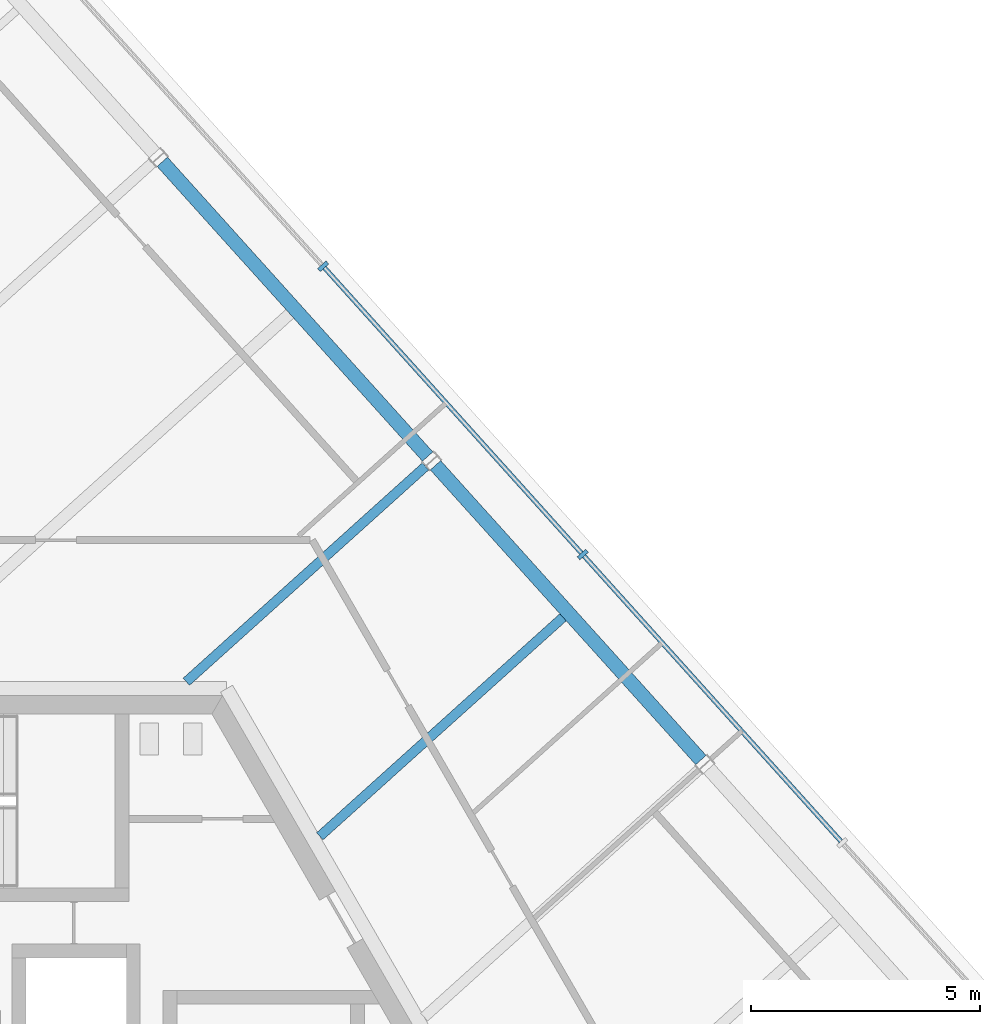
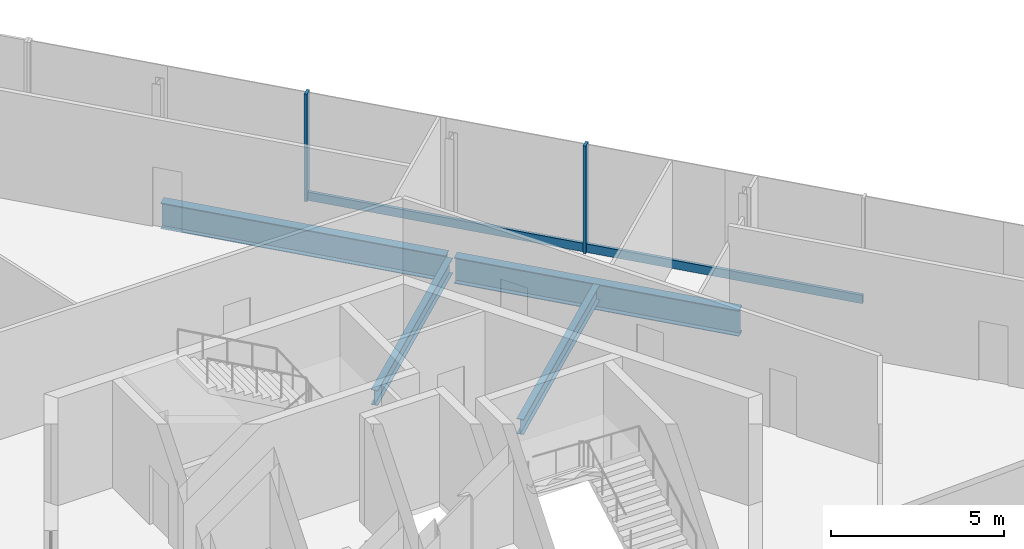
# One storey, part 8 of 16: 4 beams, 4 members, 1 element without a shape of its own.
"""IFC4 building model written with IfcOpenShell, lengths in metres."""

from ifc_helpers import new_model, si_unit, direction, frame, origin, origin_2d, place, context, subcontext, project, spatial, rectangle, i_section, extrude, source, transform, mapped, material, material_profile, profile_set, type_object, element, aggregate, save


model = new_model("IFC4")

# Units and contexts
model_context = context("Model", 3, precision=1e-05, world=origin(), true_north=direction((0.0, 1.0)))
body_context = subcontext(model_context, "Body", "Model", "MODEL_VIEW")
ifc_project = project(units=[si_unit("LENGTHUNIT", "METRE"), si_unit("AREAUNIT", "SQUARE_METRE"), si_unit("VOLUMEUNIT", "CUBIC_METRE"), si_unit("PLANEANGLEUNIT", "RADIAN"), si_unit("MASSUNIT", "GRAM", prefix="KILO")], contexts=[model_context])

# Site, building, storey
site_placement = place(None, origin())
site = spatial("IfcSite", under=ifc_project, at=site_placement, CompositionType="ELEMENT")
building_placement = place(site_placement, origin())
building = spatial("IfcBuilding", under=site, at=building_placement, Name="Triune Harvest Tower", CompositionType="ELEMENT")
storey_placement = place(building_placement, frame((0.0, 0.0, 292.699951171875)))
storey = spatial("IfcBuildingStorey", under=building, at=storey_placement, Name="L77", CompositionType="ELEMENT", Elevation=292.699951171875)

# Beams
ifc_material_1 = material(Name="Steel ASTM A992 Gr 50", Category="steel")
ifc_material_profile_1 = material_profile(ifc_material_1, i_section(OverallWidth=0.3046875, OverallDepth=0.914306640625, WebThickness=0.0166015625, FlangeThickness=0.02587890625, at=origin_2d()), Name="W36x160")
ifc_profile_set_1 = profile_set([ifc_material_profile_1], Name="Steel ASTM A992 Gr 50")
beam_type_1 = type_object("IfcBeamType", Name="SB-1 Spandrel beam W36x160", PredefinedType="SPANDREL", material=ifc_profile_set_1)
shared_shape_1 = source(origin(), body_context, "Body", "SweptSolid", [
    extrude(i_section(OverallWidth=0.3046875, OverallDepth=0.914306640625, WebThickness=0.0166015625, FlangeThickness=0.02587890625, at=origin_2d()), origin(), (0.0, 0.0, 1.0), 8.671630859375),
])
beam_1_placement = place(storey_placement, frame((16.45947265625, 8.985595703125, -0.63720703125), z_axis=(-0.669129593336, 0.743145737606, 0.0), x_axis=(-0.743145737606, -0.669129593336, 0.0)))
element("IfcBeam", 1, at=beam_1_placement, inside=storey, type_object=beam_type_1, Name="beam/L77/SB3", PredefinedType="SPANDREL", context=body_context, shape_type="MappedRepresentation", body=[
    mapped(shared_shape_1, transform((0.0, 0.0, 0.0), scale=1.0)),
])
shared_shape_2 = source(origin(), body_context, "Body", "SweptSolid", [
    extrude(i_section(OverallWidth=0.3046875, OverallDepth=0.914306640625, WebThickness=0.0166015625, FlangeThickness=0.02587890625, at=origin_2d()), origin(), (0.0, 0.0, 1.0), 8.67138671875),
])
beam_2_placement = place(storey_placement, frame((10.4853515625, 15.62060546875, -0.63720703125), z_axis=(-0.669128044683, 0.743147132013, 0.0), x_axis=(-0.743147132013, -0.669128044683, 0.0)))
element("IfcBeam", 2, at=beam_2_placement, inside=storey, type_object=beam_type_1, Name="beam/L77/SB4", PredefinedType="SPANDREL", context=body_context, shape_type="MappedRepresentation", body=[
    mapped(shared_shape_2, transform((0.0, 0.0, 0.0), scale=1.0)),
])
ifc_material_2 = material(Name="Steel ASTM A992 Gr 50", Category="steel")
ifc_material_profile_2 = material_profile(ifc_material_2, i_section(OverallWidth=0.2099609375, OverallDepth=0.535888671875, WebThickness=0.010986328125, FlangeThickness=0.017333984375, at=origin_2d()), Name="W21x68")
ifc_profile_set_2 = profile_set([ifc_material_profile_2], Name="Steel ASTM A992 Gr 50")
beam_type_2 = type_object("IfcBeamType", Name="JT-2 Floor joist W21x68", PredefinedType="JOIST", material=ifc_profile_set_2)
shared_shape_3 = source(origin(), body_context, "Body", "SweptSolid", [
    extrude(i_section(OverallWidth=0.2099609375, OverallDepth=0.535888671875, WebThickness=0.010986328125, FlangeThickness=0.017333984375, at=origin_2d()), origin(), (0.0, 0.0, 1.0), 7.155517578125),
])
beam_3_placement = place(storey_placement, frame((13.44482421875, 12.105712890625, -0.447998046875), z_axis=(-0.743139743978, -0.669136249892, 0.0), x_axis=(0.669136249892, -0.743139743978, 0.0)))
element("IfcBeam", 3, at=beam_3_placement, inside=storey, type_object=beam_type_2, Name="beam/L77/JT5", PredefinedType="JOIST", context=body_context, shape_type="MappedRepresentation", body=[
    mapped(shared_shape_3, transform((0.0, 0.0, 0.0), scale=1.0)),
])
shared_shape_4 = source(origin(), body_context, "Body", "SweptSolid", [
    extrude(i_section(OverallWidth=0.2099609375, OverallDepth=0.535888671875, WebThickness=0.010986328125, FlangeThickness=0.017333984375, at=origin_2d()), origin(), (0.0, 0.0, 1.0), 7.035400390625),
])
beam_4_placement = place(storey_placement, frame((10.437255859375, 15.404541015625, -0.447998046875), z_axis=(-0.743147458893, -0.669127681643, 0.0), x_axis=(0.669127681643, -0.743147458893, 0.0)))
element("IfcBeam", 4, at=beam_4_placement, inside=storey, type_object=beam_type_2, Name="beam/L77/JT6", PredefinedType="JOIST", context=body_context, shape_type="MappedRepresentation", body=[
    mapped(shared_shape_4, transform((0.0, 0.0, 0.0), scale=1.0)),
])

# Curtain wall, members
ifc_material_3 = material(Name="Aluminium bronze anodised", Category="aluminium")
curtain_wall_type = type_object("IfcCurtainWallType", Name="CW-4 Sky lobby tall glazing wall", PredefinedType="NOTDEFINED", material=ifc_material_3)
curtain_wall_placement = place(storey_placement, origin())
curtain_wall = element("IfcCurtainWall", 5, at=curtain_wall_placement, inside=storey, type_object=curtain_wall_type, Name="CW-4 B7-F1 L77 run 1101")
ifc_material_4 = material(Name="Aluminium bronze anodised", Category="aluminium")
ifc_material_profile_3 = material_profile(ifc_material_4, rectangle(XDim=0.25, YDim=0.090087890625, at=origin_2d()), Name="MU-4 mullion 90 x 250")
ifc_profile_set_3 = profile_set([ifc_material_profile_3], Name="Aluminium bronze anodised")
member_type_1 = type_object("IfcMemberType", Name="MU-4 mullion 90 x 250", PredefinedType="MULLION", material=ifc_profile_set_3)
shared_shape_5 = source(origin(), body_context, "Body", "SweptSolid", [
    extrude(rectangle(XDim=0.25, YDim=0.090087890625, at=origin_2d()), origin(), (0.0, 0.0, 1.0), 3.800048828125),
])
member_1_placement = place(storey_placement, frame((13.875732421875, 13.4775390625, 0.0), z_axis=(0.0, 0.0, 1.0), x_axis=(-0.743143165769, -0.669132449647, 0.0)))
member_1 = element("IfcMember", 6, at=member_1_placement, type_object=member_type_1, Name="CW-4 mullion B7-F1 1101.5", PredefinedType="MULLION", context=body_context, shape_type="MappedRepresentation", body=[
    mapped(shared_shape_5, transform((0.0, 0.0, 0.0), scale=1.0)),
])
member_2_placement = place(storey_placement, frame((8.200439453125, 19.780517578125, 0.0), z_axis=(0.0, 0.0, 1.0), x_axis=(-0.743143165769, -0.669132449647, 0.0)))
member_2 = element("IfcMember", 7, at=member_2_placement, type_object=member_type_1, Name="CW-4 mullion B7-F1 1101.7", PredefinedType="MULLION", context=body_context, shape_type="MappedRepresentation", body=[
    mapped(shared_shape_5, transform((0.0, 0.0, 0.0), scale=1.0)),
])
ifc_material_5 = material(Name="Aluminium bronze anodised", Category="aluminium")
ifc_material_profile_4 = material_profile(ifc_material_5, rectangle(XDim=0.10009765625, YDim=0.300048828125, at=origin_2d()), Name="TR-4 transom 100 x 300")
ifc_profile_set_4 = profile_set([ifc_material_profile_4], Name="Aluminium bronze anodised")
member_type_2 = type_object("IfcMemberType", Name="TR-4 transom 100 x 300", PredefinedType="USERDEFINED", material=ifc_profile_set_4)
shared_shape_6 = source(origin(), body_context, "Body", "SweptSolid", [
    extrude(rectangle(XDim=0.10009765625, YDim=0.300048828125, at=origin_2d()), origin(), (0.0, 0.0, 1.0), 8.3916015625),
])
member_3_placement = place(storey_placement, frame((19.52099609375, 7.2080078125, 0.150146484375), z_axis=(-0.669146343975, 0.743130654963, 0.0), x_axis=(-0.743130654963, -0.669146343975, 0.0)))
member_3 = element("IfcMember", 8, at=member_3_placement, type_object=member_type_2, Name="CW-4 transom B7-F1 1101.2", ObjectType="TRANSOM", PredefinedType="USERDEFINED", context=body_context, shape_type="MappedRepresentation", body=[
    mapped(shared_shape_6, transform((0.0, 0.0, 0.0), scale=1.0)),
])
member_4_placement = place(storey_placement, frame((13.845703125, 13.510986328125, 0.150146484375), z_axis=(-0.669146343975, 0.743130654963, 0.0), x_axis=(-0.743130654963, -0.669146343975, 0.0)))
member_4 = element("IfcMember", 9, at=member_4_placement, type_object=member_type_2, Name="CW-4 transom B7-F1 1101.3", ObjectType="TRANSOM", PredefinedType="USERDEFINED", context=body_context, shape_type="MappedRepresentation", body=[
    mapped(shared_shape_6, transform((0.0, 0.0, 0.0), scale=1.0)),
])
aggregate(curtain_wall, [member_1, member_2, member_3, member_4])

save(model, "model.ifc")
